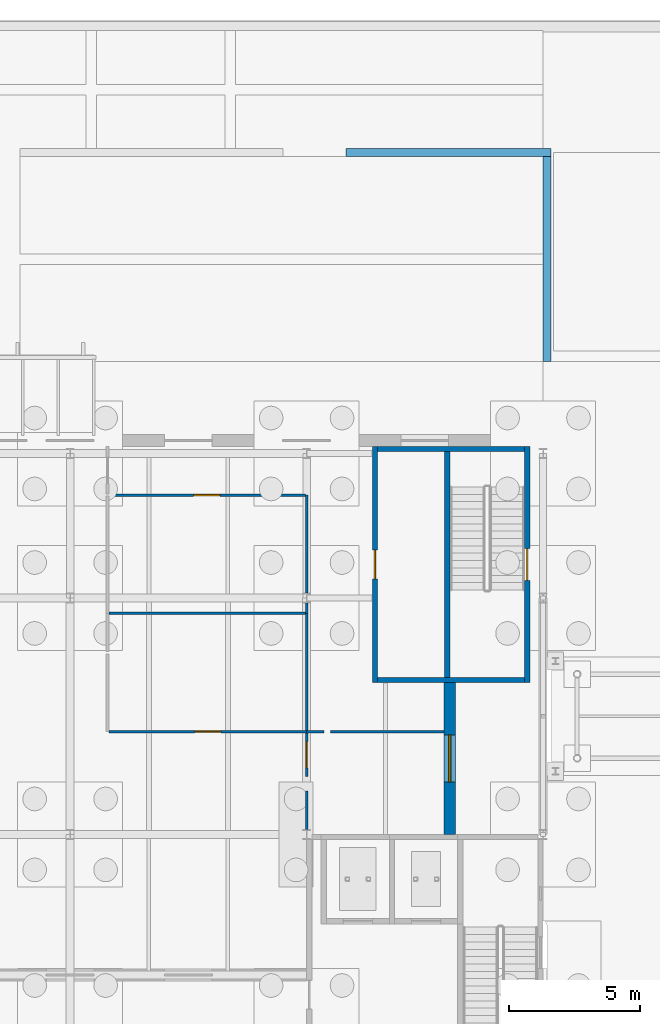
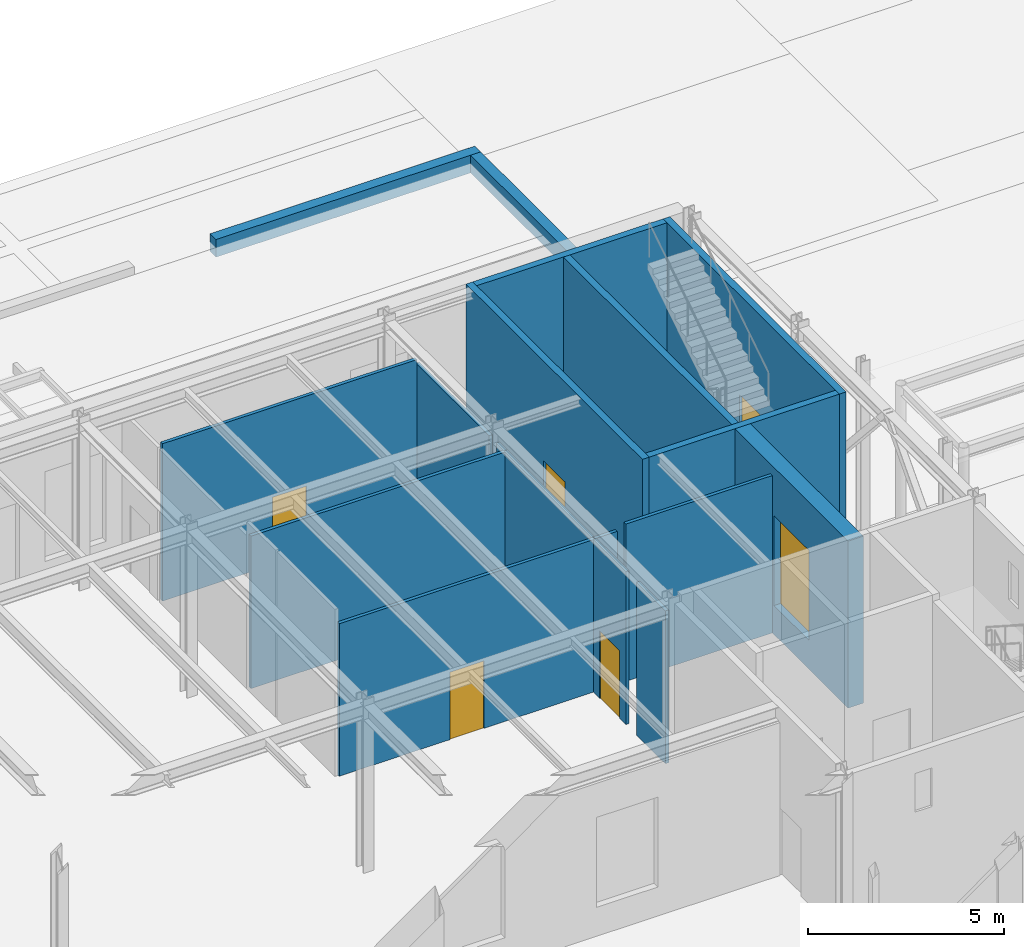
# One storey, part 82 of 126: 18 walls, 5 doors, 1 window, 6 openings.
"""IFC4 building model written with IfcOpenShell, lengths in metres."""

from ifc_helpers import new_model, si_unit, direction, frame, frame_2d, origin, place, context, subcontext, project, spatial, rectangle, extrude, material, layer, layer_set, type_object, element, fill, save


model = new_model("IFC4")

# Units and contexts
model_context = context("Model", 3, precision=1e-05, world=origin(), true_north=direction((0.0, 1.0)))
body_context = subcontext(model_context, "Body", "Model", "MODEL_VIEW")
ifc_project = project(units=[si_unit("LENGTHUNIT", "METRE"), si_unit("AREAUNIT", "SQUARE_METRE"), si_unit("VOLUMEUNIT", "CUBIC_METRE"), si_unit("PLANEANGLEUNIT", "RADIAN"), si_unit("MASSUNIT", "GRAM", prefix="KILO")], contexts=[model_context])

# Site, building, storey
site_placement = place(None, origin())
site = spatial("IfcSite", under=ifc_project, at=site_placement, CompositionType="ELEMENT")
building_placement = place(site_placement, origin())
building = spatial("IfcBuilding", under=site, at=building_placement, Name="Kallimachos Central Library", CompositionType="ELEMENT")
storey_placement = place(building_placement, origin())
storey = spatial("IfcBuildingStorey", under=building, at=storey_placement, Name="L00", CompositionType="ELEMENT", Elevation=0.0)

# Wall, opening, window
ifc_material_1 = material(Name="Bronze-anodised aluminium louvres on blockwork", Category="masonry")
ifc_layer_1 = layer(ifc_material_1, 0.449951171875)
ifc_layer_set_1 = layer_set([ifc_layer_1], Name="Bronze louvre enclosure wall 450")
wall_type_1 = type_object("IfcWallType", Name="Bronze louvre enclosure wall 450", PredefinedType="SOLIDWALL", material=ifc_layer_set_1)
wall_1_placement = place(storey_placement, frame((106.949951171875, 96.0, 0.0), z_axis=(0.0, 0.0, 1.0), x_axis=(0.0, 1.0, 0.0)))
wall_1 = element("IfcWall", 1, at=wall_1_placement, inside=storey, type_object=wall_type_1, Name="Louvre enclosure wall E L00", PredefinedType="SOLIDWALL", context=body_context, shape_type="SweptSolid", body=[
    extrude(rectangle(XDim=5.77490234375, YDim=0.449951171875, at=frame_2d((2.887451171875, 0.0))), origin(), (0.0, 0.0, 1.0), 5.199951171875),
])
opening_1_placement = place(wall_1_placement, frame((1.987548828125, 0.0, 0.89990234375)))
opening_1 = element("IfcOpeningElement", 2, at=opening_1_placement, cuts=wall_1, Name="Opening W35", PredefinedType="OPENING", context=body_context, shape_type="SweptSolid", body=[
    extrude(rectangle(XDim=1.800048828125, YDim=2.800048828125, at=frame_2d((0.89990234375, 1.39990234375))), frame((0.0, 0.23486328125, 0.0), z_axis=(0.0, -1.0, 0.0), x_axis=(1.0, 0.0, 0.0)), (0.0, 0.0, 1.0), 0.469970703125),
])
ifc_material_2 = material(Name="Laminated glass in bronze-anodised aluminium frame", Category="aluminium")
window_type = type_object("IfcWindowType", Name="Base window 1800x2800", PartitioningType="SINGLE_PANEL", PredefinedType="WINDOW", material=ifc_material_2)
window_placement = place(opening_1_placement, origin())
window = element("IfcWindow", 3, at=window_placement, inside=storey, type_object=window_type, Name="V1-WIN-L00-006", OverallHeight=2.800048828125, OverallWidth=1.800048828125, PartitioningType="SINGLE_PANEL", PredefinedType="WINDOW", context=body_context, shape_type="SweptSolid", body=[
    extrude(rectangle(XDim=1.800048828125, YDim=2.800048828125, at=frame_2d((0.89990234375, 1.39990234375))), frame((0.0, 0.030029296875, 0.0), z_axis=(0.0, -1.0, 0.0), x_axis=(1.0, 0.0, 0.0)), (0.0, 0.0, 1.0), 0.06005859375),
])
fill(opening_1, window)

# Wall, opening, door
ifc_material_3 = material(Name="Concrete C30/37", Category="concrete")
ifc_layer_2 = layer(ifc_material_3, 0.199951171875)
ifc_layer_set_2 = layer_set([ifc_layer_2], Name="Core wall 200")
wall_type_2 = type_object("IfcWallType", Name="Core wall 200", PredefinedType="SOLIDWALL", material=ifc_layer_set_2)
wall_2_placement = place(storey_placement, frame((104.10009765625, 101.77490234375, 0.0), z_axis=(0.0, 0.0, 1.0), x_axis=(0.0, 1.0, 0.0)))
wall_2 = element("IfcWall", 4, at=wall_2_placement, inside=storey, type_object=wall_type_2, Name="Core wall V1-NE W", PredefinedType="SOLIDWALL", context=body_context, shape_type="SweptSolid", body=[
    extrude(rectangle(XDim=9.0, YDim=0.199951171875, at=frame_2d((4.5, 0.0))), origin(), (0.0, 0.0, 1.0), 5.199951171875),
])
opening_2_placement = place(wall_2_placement, frame((3.949951171875, 0.0, 0.0)))
opening_2 = element("IfcOpeningElement", 5, at=opening_2_placement, cuts=wall_2, Name="Opening D237", PredefinedType="OPENING", context=body_context, shape_type="SweptSolid", body=[
    extrude(rectangle(XDim=1.10009765625, YDim=2.10009765625, at=frame_2d((0.550048828125, 1.050048828125))), frame((0.0, 0.10986328125, 0.0), z_axis=(0.0, -1.0, 0.0), x_axis=(1.0, 0.0, 0.0)), (0.0, 0.0, 1.0), 0.219970703125),
])
ifc_material_4 = material(Name="Steel fire door", Category="steel")
door_type_1 = type_object("IfcDoorType", Name="Fire door EI2 90 1100 x 2100", OperationType="NOTDEFINED", PredefinedType="DOOR", material=ifc_material_4)
door_1_placement = place(opening_2_placement, frame((1.10009765625, 0.0, 0.0), z_axis=(0.0, 0.0, 1.0), x_axis=(-1.0, 0.0, 0.0)))
door_1 = element("IfcDoor", 6, at=door_1_placement, inside=storey, type_object=door_type_1, Name="V1-DOR-L00-017", OperationType="SINGLE_SWING_LEFT", OverallHeight=2.10009765625, OverallWidth=1.10009765625, PredefinedType="DOOR", context=body_context, shape_type="SweptSolid", body=[
    extrude(rectangle(XDim=1.10009765625, YDim=2.10009765625, at=frame_2d((0.550048828125, 1.050048828125))), frame((0.0, 0.02490234375, 0.0), z_axis=(0.0, -1.0, 0.0), x_axis=(1.0, 0.0, 0.0)), (0.0, 0.0, 1.0), 0.050048828125),
])
fill(opening_2, door_1)

wall_3_placement = place(storey_placement, frame((109.89990234375, 101.77490234375, 0.0), z_axis=(0.0, 0.0, 1.0), x_axis=(0.0, 1.0, 0.0)))
wall_3 = element("IfcWall", 7, at=wall_3_placement, inside=storey, type_object=wall_type_2, Name="Core wall V1-NE E", PredefinedType="SOLIDWALL", context=body_context, shape_type="SweptSolid", body=[
    extrude(rectangle(XDim=9.0, YDim=0.199951171875, at=frame_2d((4.5, 0.0))), origin(), (0.0, 0.0, 1.0), 5.199951171875),
])
opening_3_placement = place(wall_3_placement, frame((3.89990234375, 0.0, 0.0)))
opening_3 = element("IfcOpeningElement", 8, at=opening_3_placement, cuts=wall_3, Name="Opening D238", PredefinedType="OPENING", context=body_context, shape_type="SweptSolid", body=[
    extrude(rectangle(XDim=1.199951171875, YDim=2.10009765625, at=frame_2d((0.60009765625, 1.050048828125))), frame((0.0, 0.10986328125, 0.0), z_axis=(0.0, -1.0, 0.0), x_axis=(1.0, 0.0, 0.0)), (0.0, 0.0, 1.0), 0.219970703125),
])
ifc_material_5 = material(Name="Steel fire door leaf", Category="steel")
door_type_2 = type_object("IfcDoorType", Name="Exit door EI2 90 1200 x 2100", OperationType="NOTDEFINED", PredefinedType="DOOR", material=ifc_material_5)
door_2_placement = place(opening_3_placement, origin())
door_2 = element("IfcDoor", 9, at=door_2_placement, inside=storey, type_object=door_type_2, Name="Exit Door", OperationType="SINGLE_SWING_RIGHT", OverallHeight=2.10009765625, OverallWidth=1.199951171875, PredefinedType="DOOR", context=body_context, shape_type="SweptSolid", body=[
    extrude(rectangle(XDim=1.199951171875, YDim=2.10009765625, at=frame_2d((0.60009765625, 1.050048828125))), frame((0.0, 0.02490234375, 0.0), z_axis=(0.0, -1.0, 0.0), x_axis=(1.0, 0.0, 0.0)), (0.0, 0.0, 1.0), 0.050048828125),
])
fill(opening_3, door_2)

# Walls
for number, where, z_axis, x_axis, name in (
    (10, (104.199951171875, 101.875, 0.0), (0.0, 0.0, 1.0), (1.0, 0.0, 0.0), "Core wall V1-NE S"),
    (11, (104.199951171875, 110.675048828125, 0.0), (0.0, 0.0, 1.0), (1.0, 0.0, 0.0), "Core wall V1-NE N"),
):
    element("IfcWall", number, at=place(storey_placement, frame(where, z_axis=z_axis, x_axis=x_axis)), inside=storey, type_object=wall_type_2, Name=name, PredefinedType="SOLIDWALL", context=body_context, shape_type="SweptSolid", body=[
        extrude(rectangle(XDim=5.60009765625, YDim=0.199951171875, at=frame_2d((2.800048828125, 0.0))), origin(), (0.0, 0.0, 1.0), 5.199951171875),
    ])
wall_4_placement = place(storey_placement, frame((106.85009765625, 101.97509765625, 0.0), z_axis=(0.0, 0.0, 1.0), x_axis=(0.0, 1.0, 0.0)))
element("IfcWall", 12, at=wall_4_placement, inside=storey, type_object=wall_type_2, Name="Stair wall V1-NE", PredefinedType="SOLIDWALL", context=body_context, shape_type="SweptSolid", body=[
    extrude(rectangle(XDim=8.599853515625, YDim=0.199951171875, at=frame_2d((4.2998046875, 0.0))), origin(), (0.0, 0.0, 1.0), 5.199951171875),
])
ifc_material_6 = material(Name="Granite kerb stone", Category="masonry")
ifc_layer_3 = layer(ifc_material_6, 0.300048828125)
ifc_layer_set_3 = layer_set([ifc_layer_3], Name="Granite kerb 300")
wall_type_3 = type_object("IfcWallType", Name="Granite kerb 300", PredefinedType="SOLIDWALL", material=ifc_layer_set_3)
wall_5_placement = place(storey_placement, frame((110.64990234375, 114.0, -0.300048828125), z_axis=(0.0, 0.0, 1.0), x_axis=(0.0, 1.0, 0.0)))
element("IfcWall", 13, at=wall_5_placement, inside=storey, type_object=wall_type_3, Name="Entrance kerb east", PredefinedType="SOLIDWALL", context=body_context, shape_type="SweptSolid", body=[
    extrude(rectangle(XDim=8.10009765625, YDim=0.300048828125, at=frame_2d((4.050048828125, 0.0))), origin(), (0.0, 0.0, 1.0), 0.550048828125),
])
wall_6_placement = place(storey_placement, frame((103.0, 121.949951171875, -0.300048828125), z_axis=(0.0, 0.0, 1.0), x_axis=(1.0, 0.0, 0.0)))
element("IfcWall", 14, at=wall_6_placement, inside=storey, type_object=wall_type_3, Name="Entrance kerb front 4", PredefinedType="SOLIDWALL", context=body_context, shape_type="SweptSolid", body=[
    extrude(rectangle(XDim=7.800048828125, YDim=0.300048828125, at=frame_2d((3.89990234375, 0.0))), origin(), (0.0, 0.0, 1.0), 0.550048828125),
])

# Wall, opening, door
ifc_material_7 = material(Name="Plasterboard on steel studs", Category="steel")
ifc_layer_4 = layer(ifc_material_7, 0.10009765625)
ifc_layer_set_4 = layer_set([ifc_layer_4], Name="Partition 100")
wall_type_4 = type_object("IfcWallType", Name="Partition 100", PredefinedType="PARTITIONING", material=ifc_layer_set_4)
wall_7_placement = place(storey_placement, frame((93.969970703125, 99.91552734375, 0.0), z_axis=(0.0, 0.0, 1.0), x_axis=(1.0, 0.0, 0.0)))
wall_7 = element("IfcWall", 15, at=wall_7_placement, inside=storey, type_object=wall_type_4, Name="Partition", PredefinedType="PARTITIONING", context=body_context, shape_type="SweptSolid", body=[
    extrude(rectangle(XDim=7.530029296875, YDim=0.10009765625, at=frame_2d((3.76513671875, 0.0))), origin(), (0.0, 0.0, 1.0), 4.75),
])
opening_4_placement = place(wall_7_placement, frame((3.264892578125, 0.0, 0.0)))
opening_4 = element("IfcOpeningElement", 16, at=opening_4_placement, cuts=wall_7, Name="Opening D249", PredefinedType="OPENING", context=body_context, shape_type="SweptSolid", body=[
    extrude(rectangle(XDim=1.0, YDim=2.10009765625, at=frame_2d((0.5, 1.050048828125))), frame((0.0, 0.06005859375, 0.0), z_axis=(0.0, -1.0, 0.0), x_axis=(1.0, 0.0, 0.0)), (0.0, 0.0, 1.0), 0.1201171875),
])
ifc_material_8 = material(Name="Oak veneered door leaf")
door_type_3 = type_object("IfcDoorType", Name="Single leaf door EI2 30 1000 x 2100", OperationType="NOTDEFINED", PredefinedType="DOOR", material=ifc_material_8)
door_3_placement = place(opening_4_placement, origin())
door_3 = element("IfcDoor", 17, at=door_3_placement, inside=storey, type_object=door_type_3, Name="V1-DOR-L00-025", OperationType="SINGLE_SWING_RIGHT", OverallHeight=2.10009765625, OverallWidth=1.0, PredefinedType="DOOR", context=body_context, shape_type="SweptSolid", body=[
    extrude(rectangle(XDim=1.0, YDim=2.10009765625, at=frame_2d((0.5, 1.050048828125))), frame((0.0, 0.02490234375, 0.0), z_axis=(0.0, -1.0, 0.0), x_axis=(1.0, 0.0, 0.0)), (0.0, 0.0, 1.0), 0.050048828125),
])
fill(opening_4, door_3)

wall_8_placement = place(storey_placement, frame((101.5, 99.865478515625, 0.0), z_axis=(0.0, 0.0, 1.0), x_axis=(0.0, -1.0, 0.0)))
wall_8 = element("IfcWall", 18, at=wall_8_placement, inside=storey, type_object=wall_type_4, Name="Partition", PredefinedType="PARTITIONING", context=body_context, shape_type="SweptSolid", body=[
    extrude(rectangle(XDim=1.66064453125, YDim=0.10009765625, at=frame_2d((0.830322265625, 0.0))), origin(), (0.0, 0.0, 1.0), 4.760009765625),
])
opening_5_placement = place(wall_8_placement, frame((0.330322265625, 0.0, 0.0)))
opening_5 = element("IfcOpeningElement", 19, at=opening_5_placement, cuts=wall_8, Name="Opening D251", PredefinedType="OPENING", context=body_context, shape_type="SweptSolid", body=[
    extrude(rectangle(XDim=1.0, YDim=2.10009765625, at=frame_2d((0.5, 1.050048828125))), frame((0.0, 0.06005859375, 0.0), z_axis=(0.0, -1.0, 0.0), x_axis=(1.0, 0.0, 0.0)), (0.0, 0.0, 1.0), 0.1201171875),
])
door_4_placement = place(opening_5_placement, origin())
door_4 = element("IfcDoor", 20, at=door_4_placement, inside=storey, type_object=door_type_3, Name="V1-DOR-L00-027", OperationType="SINGLE_SWING_RIGHT", OverallHeight=2.10009765625, OverallWidth=1.0, PredefinedType="DOOR", context=body_context, shape_type="SweptSolid", body=[
    extrude(rectangle(XDim=1.0, YDim=2.10009765625, at=frame_2d((0.5, 1.050048828125))), frame((0.0, 0.02490234375, 0.0), z_axis=(0.0, -1.0, 0.0), x_axis=(1.0, 0.0, 0.0)), (0.0, 0.0, 1.0), 0.050048828125),
])
fill(opening_5, door_4)

# Walls
wall_9_placement = place(storey_placement, frame((101.5, 97.662109375, 0.0), z_axis=(0.0, 0.0, 1.0), x_axis=(0.0, -1.0, 0.0)))
element("IfcWall", 21, at=wall_9_placement, inside=storey, type_object=wall_type_4, Name="Partition", PredefinedType="PARTITIONING", context=body_context, shape_type="SweptSolid", body=[
    extrude(rectangle(XDim=1.4736328125, YDim=0.10009765625, at=frame_2d((0.73681640625, 0.0))), origin(), (0.0, 0.0, 1.0), 4.760009765625),
])
wall_10_placement = place(storey_placement, frame((106.72509765625, 99.91552734375, 0.0), z_axis=(0.0, 0.0, 1.0), x_axis=(-1.0, 0.0, 0.0)))
element("IfcWall", 22, at=wall_10_placement, inside=storey, type_object=wall_type_4, Name="Partition", PredefinedType="PARTITIONING", context=body_context, shape_type="SweptSolid", body=[
    extrude(rectangle(XDim=4.31396484375, YDim=0.10009765625, at=frame_2d((2.156982421875, 0.0))), origin(), (0.0, 0.0, 1.0), 4.89990234375),
])
wall_11_placement = place(storey_placement, frame((102.15771484375, 99.91552734375, 0.0), z_axis=(0.0, 0.0, 1.0), x_axis=(-1.0, 0.0, 0.0)))
element("IfcWall", 23, at=wall_11_placement, inside=storey, type_object=wall_type_4, Name="Partition", PredefinedType="PARTITIONING", context=body_context, shape_type="SweptSolid", body=[
    extrude(rectangle(XDim=0.65771484375, YDim=0.10009765625, at=frame_2d((0.328857421875, 0.0))), origin(), (0.0, 0.0, 1.0), 4.760009765625),
])
wall_12_placement = place(storey_placement, frame((101.5, 99.965576171875, 0.0), z_axis=(0.0, 0.0, 1.0), x_axis=(0.0, 1.0, 0.0)))
element("IfcWall", 24, at=wall_12_placement, inside=storey, type_object=wall_type_4, Name="Partition", PredefinedType="PARTITIONING", context=body_context, shape_type="SweptSolid", body=[
    extrude(rectangle(XDim=4.449951171875, YDim=0.10009765625, at=frame_2d((2.22509765625, 0.0))), origin(), (0.0, 0.0, 1.0), 4.760009765625),
])
wall_13_placement = place(storey_placement, frame((101.5, 104.41552734375, 0.0), z_axis=(0.0, 0.0, 1.0), x_axis=(0.0, 1.0, 0.0)))
element("IfcWall", 25, at=wall_13_placement, inside=storey, type_object=wall_type_4, Name="Partition", PredefinedType="PARTITIONING", context=body_context, shape_type="SweptSolid", body=[
    extrude(rectangle(XDim=0.39599609375, YDim=0.10009765625, at=frame_2d((0.197998046875, 0.0))), origin(), (0.0, 0.0, 1.0), 4.760009765625),
])
wall_14_placement = place(storey_placement, frame((101.5, 105.1884765625, 0.0), z_axis=(0.0, 0.0, 1.0), x_axis=(0.0, 1.0, 0.0)))
element("IfcWall", 26, at=wall_14_placement, inside=storey, type_object=wall_type_4, Name="Partition", PredefinedType="PARTITIONING", context=body_context, shape_type="SweptSolid", body=[
    extrude(rectangle(XDim=3.72705078125, YDim=0.10009765625, at=frame_2d((1.863525390625, 0.0))), origin(), (0.0, 0.0, 1.0), 4.760009765625),
])

# Wall, opening, door
wall_15_placement = place(storey_placement, frame((101.449951171875, 108.91552734375, 0.0), z_axis=(0.0, 0.0, 1.0), x_axis=(-1.0, 0.0, 0.0)))
wall_15 = element("IfcWall", 27, at=wall_15_placement, inside=storey, type_object=wall_type_4, Name="Partition", PredefinedType="PARTITIONING", context=body_context, shape_type="SweptSolid", body=[
    extrude(rectangle(XDim=7.489990234375, YDim=0.10009765625, at=frame_2d((3.7451171875, 0.0))), origin(), (0.0, 0.0, 1.0), 4.89990234375),
])
opening_6_placement = place(wall_15_placement, frame((3.2451171875, 0.0, 0.0)))
opening_6 = element("IfcOpeningElement", 28, at=opening_6_placement, cuts=wall_15, Name="Opening D250", PredefinedType="OPENING", context=body_context, shape_type="SweptSolid", body=[
    extrude(rectangle(XDim=1.0, YDim=2.10009765625, at=frame_2d((0.5, 1.050048828125))), frame((0.0, 0.06005859375, 0.0), z_axis=(0.0, -1.0, 0.0), x_axis=(1.0, 0.0, 0.0)), (0.0, 0.0, 1.0), 0.1201171875),
])
door_5_placement = place(opening_6_placement, origin())
door_5 = element("IfcDoor", 29, at=door_5_placement, inside=storey, type_object=door_type_3, Name="V1-DOR-L00-026", OperationType="SINGLE_SWING_LEFT", OverallHeight=2.10009765625, OverallWidth=1.0, PredefinedType="DOOR", context=body_context, shape_type="SweptSolid", body=[
    extrude(rectangle(XDim=1.0, YDim=2.10009765625, at=frame_2d((0.5, 1.050048828125))), frame((0.0, 0.02490234375, 0.0), z_axis=(0.0, -1.0, 0.0), x_axis=(1.0, 0.0, 0.0)), (0.0, 0.0, 1.0), 0.050048828125),
])
fill(opening_6, door_5)

# Wall
wall_16_placement = place(storey_placement, frame((93.969970703125, 104.41552734375, 0.0), z_axis=(0.0, 0.0, 1.0), x_axis=(1.0, 0.0, 0.0)))
element("IfcWall", 30, at=wall_16_placement, inside=storey, type_object=wall_type_4, Name="Partition", PredefinedType="PARTITIONING", context=body_context, shape_type="SweptSolid", body=[
    extrude(rectangle(XDim=7.47998046875, YDim=0.10009765625, at=frame_2d((3.739990234375, 0.0))), origin(), (0.0, 0.0, 1.0), 4.75),
])

save(model, "model.ifc")
